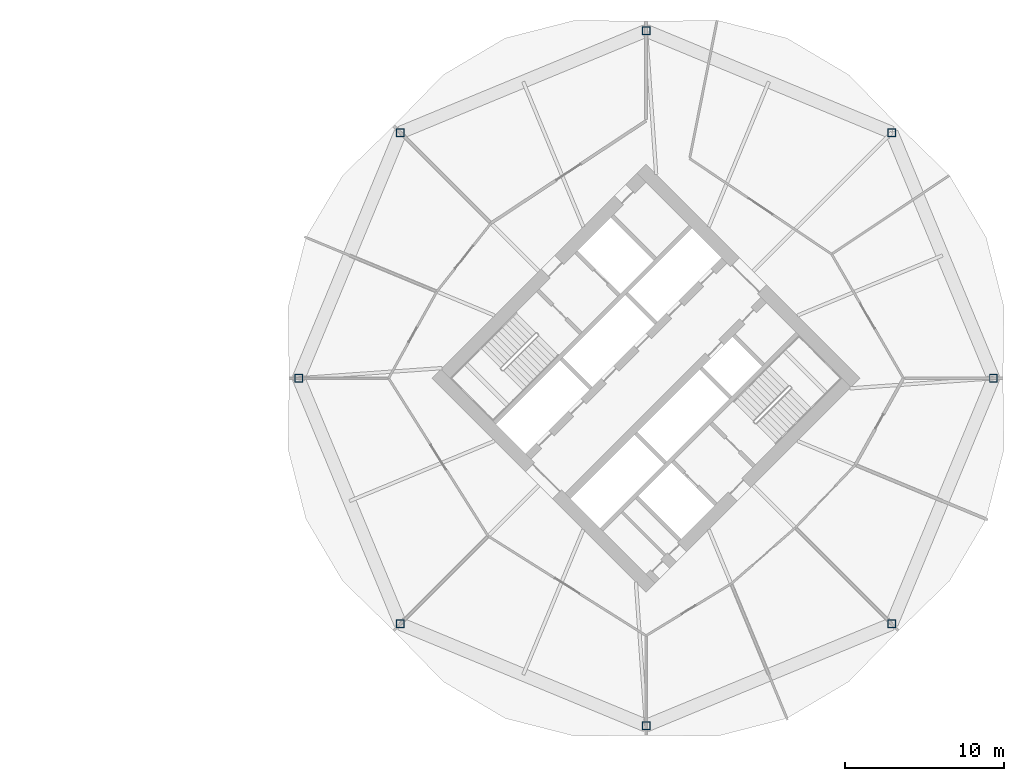
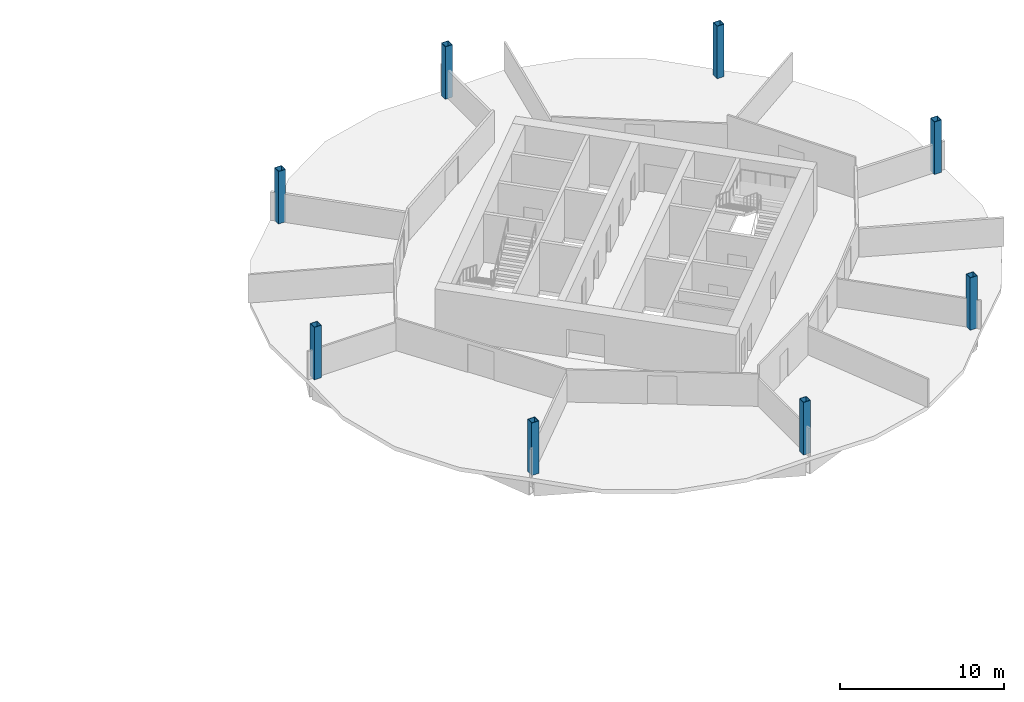
# One storey, part 2 of 9: 8 columns.
"""IFC4 building model written with IfcOpenShell, lengths in metres."""

from ifc_helpers import new_model, si_unit, direction, frame, origin, origin_2d, place, context, subcontext, project, spatial, hollow_rectangle, extrude, material, material_profile, profile_set, type_object, element, save


model = new_model("IFC4")

# Units and contexts
model_context = context("Model", 3, precision=1e-05, world=origin(), true_north=direction((0.0, 1.0)))
body_context = subcontext(model_context, "Body", "Model", "MODEL_VIEW")
ifc_project = project(units=[si_unit("LENGTHUNIT", "METRE"), si_unit("AREAUNIT", "SQUARE_METRE"), si_unit("VOLUMEUNIT", "CUBIC_METRE"), si_unit("PLANEANGLEUNIT", "RADIAN"), si_unit("MASSUNIT", "GRAM", prefix="KILO")], contexts=[model_context])

# Site, building, storey
site_placement = place(None, origin())
site = spatial("IfcSite", under=ifc_project, at=site_placement, CompositionType="ELEMENT")
building_placement = place(site_placement, origin())
building = spatial("IfcBuilding", under=site, at=building_placement, Name="Ogive Gate Towers", CompositionType="ELEMENT")
storey_placement = place(building_placement, frame((0.0, 0.0, 40.199951171875)))
storey = spatial("IfcBuildingStorey", under=building, at=storey_placement, Name="L08", CompositionType="ELEMENT", Elevation=40.199951171875)

# Columns
ifc_material = material(Name="Steel SM460", Category="steel")
ifc_material_profile = material_profile(ifc_material, hollow_rectangle(XDim=0.5, YDim=0.5, WallThickness=0.030029296875, at=origin_2d()), Name="BX 500x500x30")
ifc_profile_set = profile_set([ifc_material_profile], Name="Steel SM460")
column_type = type_object("IfcColumnType", Name="Perimeter post BX 500x500x30", PredefinedType="COLUMN", material=ifc_profile_set)
for number, where, z_axis, x_axis, name in (
    (1, (57.81005859375, 0.0, 0.0), (0.0, 0.0, 1.0), (1.0, 0.0, 0.0), "T2/L08/SCL001"),
    (2, (51.422119140625, 15.422119140625, 0.0), (0.0, 0.0, 1.0), (1.0, 0.0, 0.0), "T2/L08/SCL002"),
    (3, (36.0, 21.81005859375, 0.0), (0.0, 0.0, 1.0), (1.0, 0.0, 0.0), "T2/L08/SCL003"),
    (4, (20.577880859375, 15.422119140625, 0.0), (0.0, 0.0, 1.0), (1.0, 0.0, 0.0), "T2/L08/SCL004"),
    (5, (14.18994140625, 0.0, 0.0), (0.0, 0.0, 1.0), (1.0, 0.0, 0.0), "T2/L08/SCL005"),
    (6, (20.577880859375, -15.422119140625, 0.0), (0.0, 0.0, 1.0), (1.0, 0.0, 0.0), "T2/L08/SCL006"),
    (7, (36.0, -21.81005859375, 0.0), (0.0, 0.0, 1.0), (1.0, 0.0, 0.0), "T2/L08/SCL007"),
    (8, (51.422119140625, -15.422119140625, 0.0), (0.0, 0.0, 1.0), (1.0, 0.0, 0.0), "T2/L08/SCL008"),
):
    element("IfcColumn", number, at=place(storey_placement, frame(where, z_axis=z_axis, x_axis=x_axis)), inside=storey, type_object=column_type, Name=name, PredefinedType="COLUMN", context=body_context, shape_type="SweptSolid", body=[
        extrude(hollow_rectangle(XDim=0.5, YDim=0.5, WallThickness=0.030029296875, at=origin_2d()), origin(), (0.0, 0.0, 1.0), 3.900146484375),
    ])

save(model, "model.ifc")
